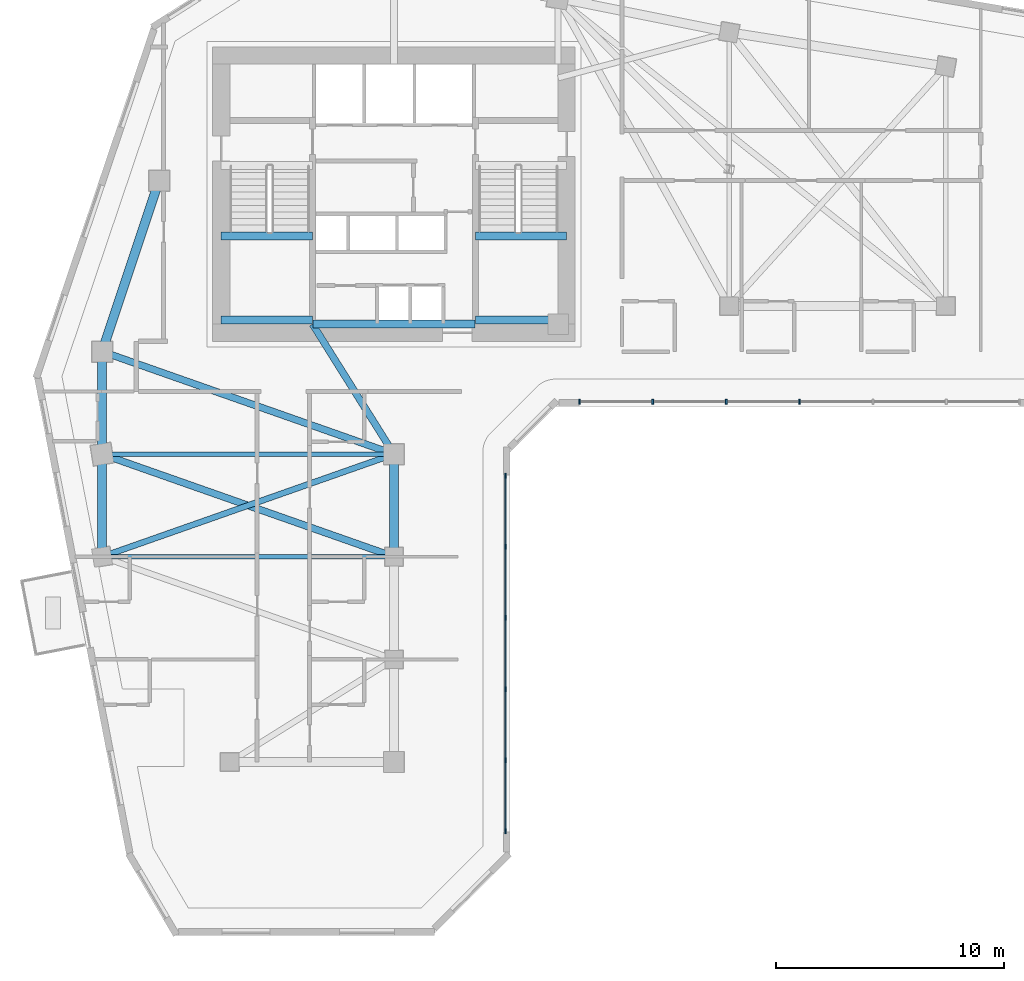
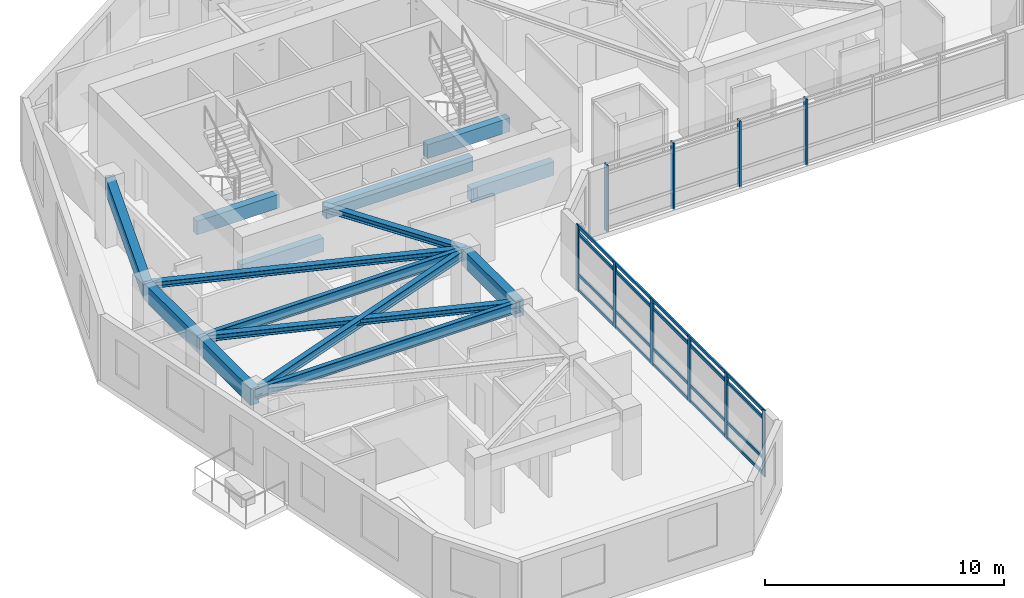
# One storey, part 2 of 12: 15 beams, 14 members, 2 elements without a shape of their own.
"""IFC4 building model written with IfcOpenShell, lengths in metres."""

from ifc_helpers import new_model, si_unit, direction, frame, origin, origin_2d, place, context, subcontext, project, spatial, rectangle, i_section, extrude, source, transform, mapped, material, material_profile, profile_set, type_object, element, aggregate, save


model = new_model("IFC4")

# Units and contexts
model_context = context("Model", 3, precision=1e-05, world=origin(), true_north=direction((0.0, 1.0)))
body_context = subcontext(model_context, "Body", "Model", "MODEL_VIEW")
ifc_project = project(units=[si_unit("LENGTHUNIT", "METRE"), si_unit("AREAUNIT", "SQUARE_METRE"), si_unit("VOLUMEUNIT", "CUBIC_METRE"), si_unit("PLANEANGLEUNIT", "RADIAN"), si_unit("MASSUNIT", "GRAM", prefix="KILO")], contexts=[model_context])

# Site, building, storey
site_placement = place(None, origin())
site = spatial("IfcSite", under=ifc_project, at=site_placement, CompositionType="ELEMENT")
building_placement = place(site_placement, origin())
building = spatial("IfcBuilding", under=site, at=building_placement, Name="Calvemar Wedge Station Tower", CompositionType="ELEMENT")
storey_placement = place(building_placement, frame((0.0, 0.0, 121.39990234375)))
storey = spatial("IfcBuildingStorey", under=building, at=storey_placement, Name="L29", CompositionType="ELEMENT", Elevation=121.39990234375)

# Beams
ifc_material_1 = material(Name="Concrete C60", Category="concrete")
ifc_material_profile_1 = material_profile(ifc_material_1, rectangle(XDim=0.39990234375, YDim=0.85009765625, at=origin_2d()), Name="RC400x850")
ifc_profile_set_1 = profile_set([ifc_material_profile_1], Name="Concrete C60")
beam_type_1 = type_object("IfcBeamType", Name="BM-SP1-850", PredefinedType="SPANDREL", material=ifc_profile_set_1)
shared_shape_1 = source(origin(), body_context, "Body", "SweptSolid", [
    extrude(rectangle(XDim=0.39990234375, YDim=0.85009765625, at=origin_2d()), origin(), (0.0, 0.0, 1.0), 7.90576171875),
])
beam_1_placement = place(storey_placement, frame((11.0, 33.0, 2.925048828125), z_axis=(0.316227766017, 0.948683298051, 0.0), x_axis=(-0.948683298051, 0.316227766017, 0.0)))
element("IfcBeam", 1, at=beam_1_placement, inside=storey, type_object=beam_type_1, Name="Storey L29 Spandrel T-NW1-T-NW2", PredefinedType="SPANDREL", context=body_context, shape_type="MappedRepresentation", body=[
    mapped(shared_shape_1, transform((0.0, 0.0, 0.0), scale=1.0)),
])
shared_shape_2 = source(origin(), body_context, "Body", "SweptSolid", [
    extrude(rectangle(XDim=0.39990234375, YDim=0.85009765625, at=origin_2d()), origin(), (0.0, 0.0, 1.0), 4.5),
])
for number, where, z_axis, x_axis, name in (
    (2, (11.0, 33.0, 2.925048828125), (0.0, -1.0, 0.0), (1.0, 0.0, 0.0), "Storey L29 Spandrel T-NW1-T-SW1"),
    (3, (11.0, 28.5, 2.925048828125), (0.0, -1.0, 0.0), (1.0, 0.0, 0.0), "Storey L29 Spandrel T-SW1-T-SW2"),
    (4, (23.800048828125, 28.5, 2.925048828125), (0.0, -1.0, 0.0), (1.0, 0.0, 0.0), "Storey L29 Spandrel T-SE1-T-SE2"),
):
    element("IfcBeam", number, at=place(storey_placement, frame(where, z_axis=z_axis, x_axis=x_axis)), inside=storey, type_object=beam_type_1, Name=name, PredefinedType="SPANDREL", context=body_context, shape_type="MappedRepresentation", body=[
        mapped(shared_shape_2, transform((0.0, 0.0, 0.0), scale=1.0)),
    ])
ifc_material_2 = material(Name="Concrete C70", Category="concrete")
ifc_material_profile_2 = material_profile(ifc_material_2, rectangle(XDim=0.35009765625, YDim=0.699951171875, at=origin_2d()), Name="RC350x700")
ifc_profile_set_2 = profile_set([ifc_material_profile_2], Name="Concrete C70")
beam_type_2 = type_object("IfcBeamType", Name="BM-LN1-700", PredefinedType="LINTEL", material=ifc_profile_set_2)
shared_shape_3 = source(origin(), body_context, "Body", "SweptSolid", [
    extrude(rectangle(XDim=0.35009765625, YDim=0.699951171875, at=origin_2d()), origin(), (0.0, 0.0, 1.0), 7.10009765625),
])
beam_2_placement = place(storey_placement, frame((20.25, 34.199951171875, 3.0), z_axis=(1.0, 0.0, 0.0), x_axis=(0.0, 1.0, 0.0)))
element("IfcBeam", 5, at=beam_2_placement, inside=storey, type_object=beam_type_2, Name="Storey L29 Core Coupling Lintel South", PredefinedType="LINTEL", context=body_context, shape_type="MappedRepresentation", body=[
    mapped(shared_shape_3, transform((0.0, 0.0, 0.0), scale=1.0)),
])
ifc_material_3 = material(Name="Structural steel ASTM A572 Grade 50", Category="steel")
ifc_material_profile_3 = material_profile(ifc_material_3, i_section(OverallWidth=0.304931640625, OverallDepth=0.30810546875, WebThickness=0.010009765625, FlangeThickness=0.015380859375, FilletRadius=0.014892578125, at=origin_2d()), Name="W310x97")
ifc_profile_set_3 = profile_set([ifc_material_profile_3], Name="Structural steel ASTM A572 Grade 50")
beam_type_3 = type_object("IfcBeamType", Name="BM-J6-W310", PredefinedType="JOIST", material=ifc_profile_set_3)
shared_shape_4 = source(origin(), body_context, "Body", "SweptSolid", [
    extrude(i_section(OverallWidth=0.304931640625, OverallDepth=0.30810546875, WebThickness=0.010009765625, FlangeThickness=0.015380859375, FilletRadius=0.014892578125, at=origin_2d()), origin(), (0.0, 0.0, 1.0), 13.568115234375),
])
for number, where, z_axis, x_axis, name in (
    (6, (11.0, 33.0, 3.196044921875), (0.943398221169, -0.331662171939, 0.0), (0.331662171939, 0.943398221169, 0.0), "Storey L29 Floor Beam T-NW1-T-SE1"),
    (7, (11.0, 28.5, 3.196044921875), (0.943398221169, -0.331662171939, 0.0), (0.331662171939, 0.943398221169, 0.0), "Storey L29 Floor Beam T-SW1-T-SE2"),
):
    element("IfcBeam", number, at=place(storey_placement, frame(where, z_axis=z_axis, x_axis=x_axis)), inside=storey, type_object=beam_type_3, Name=name, PredefinedType="JOIST", context=body_context, shape_type="MappedRepresentation", body=[
        mapped(shared_shape_4, transform((0.0, 0.0, 0.0), scale=1.0)),
    ])
ifc_material_profile_4 = material_profile(ifc_material_3, i_section(OverallWidth=0.260986328125, OverallDepth=0.419921875, WebThickness=0.01171875, FlangeThickness=0.019287109375, FilletRadius=0.012939453125, at=origin_2d()), Name="W410x114")
ifc_profile_set_4 = profile_set([ifc_material_profile_4], Name="Structural steel ASTM A572 Grade 50")
beam_type_4 = type_object("IfcBeamType", Name="BM-J2-W410H", PredefinedType="JOIST", material=ifc_profile_set_4)
shared_shape_5 = source(origin(), body_context, "Body", "SweptSolid", [
    extrude(i_section(OverallWidth=0.260986328125, OverallDepth=0.419921875, WebThickness=0.01171875, FlangeThickness=0.019287109375, FilletRadius=0.012939453125, at=origin_2d()), origin(), (0.0, 0.0, 1.0), 13.568115234375),
])
beam_3_placement = place(storey_placement, frame((23.800048828125, 28.5, 3.14013671875), z_axis=(-0.943398221169, -0.331662171939, 0.0), x_axis=(0.331662171939, -0.943398221169, 0.0)))
element("IfcBeam", 8, at=beam_3_placement, inside=storey, type_object=beam_type_4, Name="Storey L29 Floor Beam T-SE1-T-SW2", PredefinedType="JOIST", context=body_context, shape_type="MappedRepresentation", body=[
    mapped(shared_shape_5, transform((0.0, 0.0, 0.0), scale=1.0)),
])
shared_shape_6 = source(origin(), body_context, "Body", "SweptSolid", [
    extrude(i_section(OverallWidth=0.304931640625, OverallDepth=0.30810546875, WebThickness=0.010009765625, FlangeThickness=0.015380859375, FilletRadius=0.014892578125, at=origin_2d()), origin(), (0.0, 0.0, 1.0), 6.7255859375),
])
beam_4_placement = place(storey_placement, frame((20.22998046875, 34.199951171875, 3.196044921875), z_axis=(0.530811158438, -0.847490126242, 0.0), x_axis=(0.847490126242, 0.530811158438, 0.0)))
element("IfcBeam", 9, at=beam_4_placement, inside=storey, type_object=beam_type_3, Name="Storey L29 Core-to-Column Joist CJ-S2", PredefinedType="JOIST", context=body_context, shape_type="MappedRepresentation", body=[
    mapped(shared_shape_6, transform((0.0, 0.0, 0.0), scale=1.0)),
])
shared_shape_7 = source(origin(), body_context, "Body", "SweptSolid", [
    extrude(rectangle(XDim=0.35009765625, YDim=0.699951171875, at=origin_2d()), origin(), (0.0, 0.0, 1.0), 4.0048828125),
])
for number, where, z_axis, x_axis, name in (
    (10, (16.22509765625, 34.3798828125, 1.25), (1.0, 0.0, 0.0), (0.0, 1.0, 0.0), "Storey L29 Stair ST-C1 Half-Landing Beam 1A"),
    (11, (16.22509765625, 38.070068359375, 1.25), (1.0, 0.0, 0.0), (0.0, 1.0, 0.0), "Storey L29 Stair ST-C1 Half-Landing Beam 1B"),
    (12, (27.3701171875, 34.3798828125, 1.25), (1.0, 0.0, 0.0), (0.0, 1.0, 0.0), "Storey L29 Stair ST-C2 Half-Landing Beam 1A"),
    (13, (27.3701171875, 38.070068359375, 1.25), (1.0, 0.0, 0.0), (0.0, 1.0, 0.0), "Storey L29 Stair ST-C2 Half-Landing Beam 1B"),
):
    element("IfcBeam", number, at=place(storey_placement, frame(where, z_axis=z_axis, x_axis=x_axis)), inside=storey, type_object=beam_type_2, Name=name, PredefinedType="LINTEL", context=body_context, shape_type="MappedRepresentation", body=[
        mapped(shared_shape_7, transform((0.0, 0.0, 0.0), scale=1.0)),
    ])
ifc_material_profile_5 = material_profile(ifc_material_3, i_section(OverallWidth=0.2109375, OverallDepth=0.5390625, WebThickness=0.01171875, FlangeThickness=0.018798828125, FilletRadius=0.012939453125, at=origin_2d()), Name="W530x109")
ifc_profile_set_5 = profile_set([ifc_material_profile_5], Name="Structural steel ASTM A572 Grade 50")
beam_type_5 = type_object("IfcBeamType", Name="BM-SB4-W530", PredefinedType="BEAM", material=ifc_profile_set_5)
shared_shape_8 = source(origin(), body_context, "Body", "SweptSolid", [
    extrude(i_section(OverallWidth=0.2109375, OverallDepth=0.5390625, WebThickness=0.01171875, FlangeThickness=0.018798828125, FilletRadius=0.012939453125, at=origin_2d()), origin(), (0.0, 0.0, 1.0), 12.800048828125),
])
for number, where, z_axis, x_axis, name in (
    (14, (11.0, 28.5, 3.08056640625), (1.0, 0.0, 0.0), (0.0, 1.0, 0.0), "Storey L29 Floor Beam T-SW1-T-SE1"),
    (15, (11.0, 24.0, 3.08056640625), (1.0, 0.0, 0.0), (0.0, 1.0, 0.0), "Storey L29 Floor Beam T-SW2-T-SE2"),
):
    element("IfcBeam", number, at=place(storey_placement, frame(where, z_axis=z_axis, x_axis=x_axis)), inside=storey, type_object=beam_type_5, Name=name, PredefinedType="BEAM", context=body_context, shape_type="MappedRepresentation", body=[
        mapped(shared_shape_8, transform((0.0, 0.0, 0.0), scale=1.0)),
    ])

# Curtain wall, members
ifc_material_4 = material(Name="Anodised aluminium 6063-T6", Category="aluminium")
curtain_wall_type = type_object("IfcCurtainWallType", Name="CW2", PredefinedType="NOTDEFINED", material=ifc_material_4)
curtain_wall_1_placement = place(storey_placement, origin())
curtain_wall_1 = element("IfcCurtainWall", 16, at=curtain_wall_1_placement, inside=storey, type_object=curtain_wall_type, Name="Storey L29 CW2 Recessed Unitised Curtain Wall 4", PredefinedType="NOTDEFINED")
ifc_material_profile_6 = material_profile(ifc_material_4, rectangle(XDim=0.074951171875, YDim=0.219970703125, at=origin_2d()), Name="AL-MUL-75x220")
ifc_profile_set_6 = profile_set([ifc_material_profile_6], Name="Anodised aluminium 6063-T6")
member_type_1 = type_object("IfcMemberType", Name="CW2-MUL", PredefinedType="MULLION", material=ifc_profile_set_6)
shared_shape_9 = source(origin(), body_context, "Body", "SweptSolid", [
    extrude(rectangle(XDim=0.074951171875, YDim=0.219970703125, at=origin_2d()), origin(), (0.0, 0.0, 1.0), 3.39990234375),
])
member_1_placement = place(storey_placement, frame((28.68603515625, 11.962158203125, -0.0498046875), z_axis=(0.0, 0.0, 1.0), x_axis=(1.0, 0.0, 0.0)))
member_1 = element("IfcMember", 17, at=member_1_placement, type_object=member_type_1, Name="CW2 mullion 1", PredefinedType="MULLION", context=body_context, shape_type="MappedRepresentation", body=[
    mapped(shared_shape_9, transform((0.0, 0.0, 0.0), scale=1.0)),
])
member_2_placement = place(storey_placement, frame((28.68603515625, 15.08056640625, -0.0498046875), z_axis=(0.0, 0.0, 1.0), x_axis=(1.0, 0.0, 0.0)))
member_2 = element("IfcMember", 18, at=member_2_placement, type_object=member_type_1, Name="CW2 mullion 2", PredefinedType="MULLION", context=body_context, shape_type="MappedRepresentation", body=[
    mapped(shared_shape_9, transform((0.0, 0.0, 0.0), scale=1.0)),
])
member_3_placement = place(storey_placement, frame((28.68603515625, 18.198974609375, -0.0498046875), z_axis=(0.0, 0.0, 1.0), x_axis=(1.0, 0.0, 0.0)))
member_3 = element("IfcMember", 19, at=member_3_placement, type_object=member_type_1, Name="CW2 mullion 3", PredefinedType="MULLION", context=body_context, shape_type="MappedRepresentation", body=[
    mapped(shared_shape_9, transform((0.0, 0.0, 0.0), scale=1.0)),
])
member_4_placement = place(storey_placement, frame((28.68603515625, 21.3173828125, -0.0498046875), z_axis=(0.0, 0.0, 1.0), x_axis=(1.0, 0.0, 0.0)))
member_4 = element("IfcMember", 20, at=member_4_placement, type_object=member_type_1, Name="CW2 mullion 4", PredefinedType="MULLION", context=body_context, shape_type="MappedRepresentation", body=[
    mapped(shared_shape_9, transform((0.0, 0.0, 0.0), scale=1.0)),
])
member_5_placement = place(storey_placement, frame((28.68603515625, 24.435791015625, -0.0498046875), z_axis=(0.0, 0.0, 1.0), x_axis=(1.0, 0.0, 0.0)))
member_5 = element("IfcMember", 21, at=member_5_placement, type_object=member_type_1, Name="CW2 mullion 5", PredefinedType="MULLION", context=body_context, shape_type="MappedRepresentation", body=[
    mapped(shared_shape_9, transform((0.0, 0.0, 0.0), scale=1.0)),
])
member_6_placement = place(storey_placement, frame((28.68603515625, 27.55419921875, -0.0498046875), z_axis=(0.0, 0.0, 1.0), x_axis=(1.0, 0.0, 0.0)))
member_6 = element("IfcMember", 22, at=member_6_placement, type_object=member_type_1, Name="CW2 mullion 6", PredefinedType="MULLION", context=body_context, shape_type="MappedRepresentation", body=[
    mapped(shared_shape_9, transform((0.0, 0.0, 0.0), scale=1.0)),
])

curtain_wall_2_placement = place(storey_placement, origin())
curtain_wall_2 = element("IfcCurtainWall", 23, at=curtain_wall_2_placement, inside=storey, type_object=curtain_wall_type, Name="Storey L29 CW2 Recessed Unitised Curtain Wall 6", PredefinedType="NOTDEFINED")
member_7_placement = place(storey_placement, frame((31.933837890625, 30.802001953125, -0.0498046875), z_axis=(0.0, 0.0, 1.0), x_axis=(1.0, 0.0, 0.0)))
member_7 = element("IfcMember", 24, at=member_7_placement, type_object=member_type_1, Name="CW2 mullion 1", PredefinedType="MULLION", context=body_context, shape_type="MappedRepresentation", body=[
    mapped(shared_shape_9, transform((0.0, 0.0, 0.0), scale=1.0)),
])
member_8_placement = place(storey_placement, frame((35.151123046875, 30.802001953125, -0.0498046875), z_axis=(0.0, 0.0, 1.0), x_axis=(1.0, 0.0, 0.0)))
member_8 = element("IfcMember", 25, at=member_8_placement, type_object=member_type_1, Name="CW2 mullion 2", PredefinedType="MULLION", context=body_context, shape_type="MappedRepresentation", body=[
    mapped(shared_shape_9, transform((0.0, 0.0, 0.0), scale=1.0)),
])
member_9_placement = place(storey_placement, frame((38.36865234375, 30.802001953125, -0.0498046875), z_axis=(0.0, 0.0, 1.0), x_axis=(1.0, 0.0, 0.0)))
member_9 = element("IfcMember", 26, at=member_9_placement, type_object=member_type_1, Name="CW2 mullion 3", PredefinedType="MULLION", context=body_context, shape_type="MappedRepresentation", body=[
    mapped(shared_shape_9, transform((0.0, 0.0, 0.0), scale=1.0)),
])
member_10_placement = place(storey_placement, frame((41.5859375, 30.802001953125, -0.0498046875), z_axis=(0.0, 0.0, 1.0), x_axis=(1.0, 0.0, 0.0)))
member_10 = element("IfcMember", 27, at=member_10_placement, type_object=member_type_1, Name="CW2 mullion 4", PredefinedType="MULLION", context=body_context, shape_type="MappedRepresentation", body=[
    mapped(shared_shape_9, transform((0.0, 0.0, 0.0), scale=1.0)),
])
aggregate(curtain_wall_2, [member_7, member_8, member_9, member_10])

# Member
ifc_material_profile_7 = material_profile(ifc_material_4, rectangle(XDim=0.074951171875, YDim=0.14990234375, at=origin_2d()), Name="AL-TRN-75x150")
ifc_profile_set_7 = profile_set([ifc_material_profile_7], Name="Anodised aluminium 6063-T6")
member_type_2 = type_object("IfcMemberType", Name="CW2-TRN", PredefinedType="USERDEFINED", material=ifc_profile_set_7)
shared_shape_10 = source(origin(), body_context, "Body", "SweptSolid", [
    extrude(rectangle(XDim=0.074951171875, YDim=0.14990234375, at=origin_2d()), origin(), (0.0, 0.0, 1.0), 15.592041015625),
])
member_11_placement = place(storey_placement, frame((28.68603515625, 11.962158203125, 0.06005859375), z_axis=(0.0, 1.0, 0.0), x_axis=(-1.0, 0.0, 0.0)))
member_11 = element("IfcMember", 28, at=member_11_placement, type_object=member_type_2, Name="CW2 transom 1", ObjectType="TRANSOM", PredefinedType="USERDEFINED", context=body_context, shape_type="MappedRepresentation", body=[
    mapped(shared_shape_10, transform((0.0, 0.0, 0.0), scale=1.0)),
])

member_12_placement = place(storey_placement, frame((28.68603515625, 11.962158203125, 0.85009765625), z_axis=(0.0, 1.0, 0.0), x_axis=(-1.0, 0.0, 0.0)))
member_12 = element("IfcMember", 29, at=member_12_placement, type_object=member_type_2, Name="CW2 transom 2", ObjectType="TRANSOM", PredefinedType="USERDEFINED", context=body_context, shape_type="MappedRepresentation", body=[
    mapped(shared_shape_10, transform((0.0, 0.0, 0.0), scale=1.0)),
])

member_13_placement = place(storey_placement, frame((28.68603515625, 11.962158203125, 2.900146484375), z_axis=(0.0, 1.0, 0.0), x_axis=(-1.0, 0.0, 0.0)))
member_13 = element("IfcMember", 30, at=member_13_placement, type_object=member_type_2, Name="CW2 transom 3", ObjectType="TRANSOM", PredefinedType="USERDEFINED", context=body_context, shape_type="MappedRepresentation", body=[
    mapped(shared_shape_10, transform((0.0, 0.0, 0.0), scale=1.0)),
])

member_14_placement = place(storey_placement, frame((28.68603515625, 11.962158203125, 3.2900390625), z_axis=(0.0, 1.0, 0.0), x_axis=(-1.0, 0.0, 0.0)))
member_14 = element("IfcMember", 31, at=member_14_placement, type_object=member_type_2, Name="CW2 transom 4", ObjectType="TRANSOM", PredefinedType="USERDEFINED", context=body_context, shape_type="MappedRepresentation", body=[
    mapped(shared_shape_10, transform((0.0, 0.0, 0.0), scale=1.0)),
])

aggregate(curtain_wall_1, [member_1, member_2, member_3, member_4, member_5, member_6, member_11, member_12, member_13, member_14])

save(model, "model.ifc")
